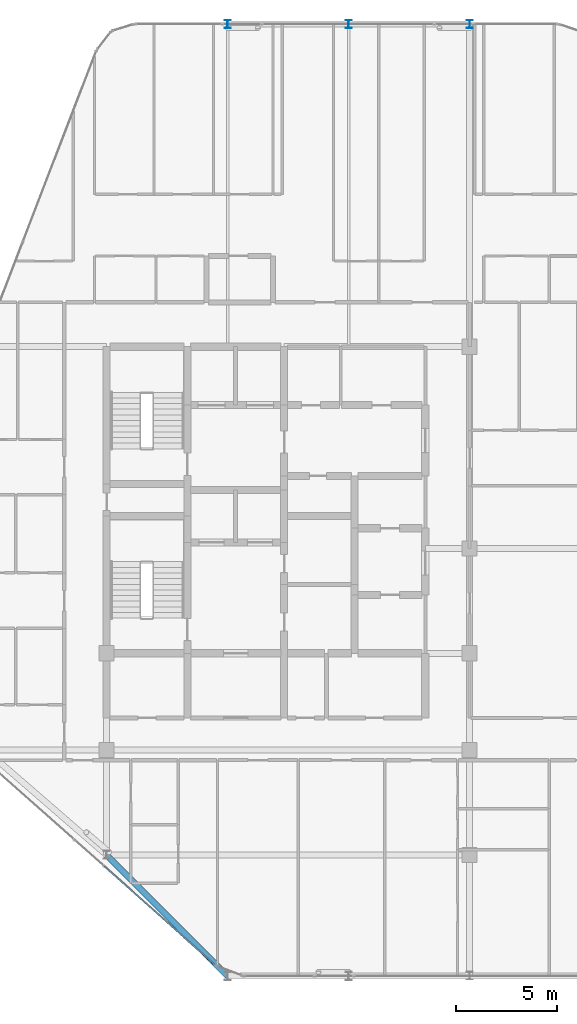
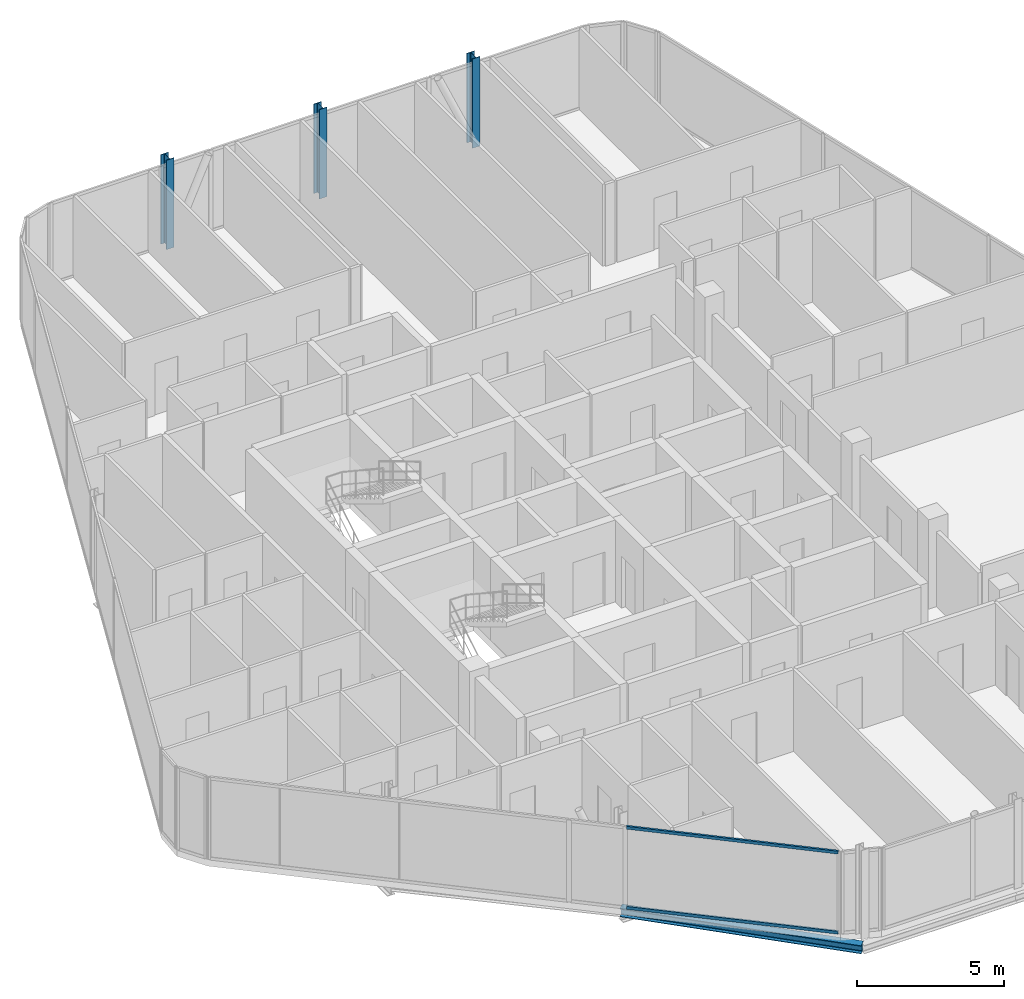
# One storey, part 2 of 27: 3 columns, 2 members, 1 beam, 1 element without a shape of its own.
"""IFC4 building model written with IfcOpenShell, lengths in metres."""

from ifc_helpers import new_model, si_unit, direction, frame, origin, origin_2d, place, context, subcontext, project, spatial, hollow_rectangle, i_section, extrude, material, layer, layer_set, material_profile, profile_set, type_object, element, aggregate, save


model = new_model("IFC4")

# Units and contexts
model_context = context("Model", 3, precision=1e-05, world=origin(), true_north=direction((0.0, 1.0)))
body_context = subcontext(model_context, "Body", "Model", "MODEL_VIEW")
ifc_project = project(units=[si_unit("LENGTHUNIT", "METRE"), si_unit("AREAUNIT", "SQUARE_METRE"), si_unit("VOLUMEUNIT", "CUBIC_METRE"), si_unit("PLANEANGLEUNIT", "RADIAN"), si_unit("MASSUNIT", "GRAM", prefix="KILO")], contexts=[model_context])

# Site, building, storey
site_placement = place(None, origin())
site = spatial("IfcSite", under=ifc_project, at=site_placement, CompositionType="ELEMENT")
building_placement = place(site_placement, origin())
building = spatial("IfcBuilding", under=site, at=building_placement, Name="Keshet Zoharim Tower", CompositionType="ELEMENT")
storey_placement = place(building_placement, frame((0.0, 0.0, 269.5)))
storey = spatial("IfcBuildingStorey", under=building, at=storey_placement, Name="L67", CompositionType="ELEMENT", Elevation=269.5)

# Columns
ifc_material_1 = material(Name="Steel S355", Category="steel")
ifc_material_profile_1 = material_profile(ifc_material_1, i_section(OverallWidth=0.300048828125, OverallDepth=0.39990234375, WebThickness=0.013427734375, FlangeThickness=0.02392578125, FilletRadius=0.027099609375, at=origin_2d()), Name="HEB400")
ifc_profile_set_1 = profile_set([ifc_material_profile_1], Name="Steel S355")
column_type = type_object("IfcColumnType", Name="COL-HEB400", PredefinedType="COLUMN", material=ifc_profile_set_1)
for number, where, z_axis, x_axis, name in (
    (1, (21.0, 53.89990234375, 0.0), (0.0, 0.0, 1.0), (1.0, 0.0, 0.0), "L67 Column 4L"),
    (2, (27.0, 53.89990234375, 0.0), (0.0, 0.0, 1.0), (1.0, 0.0, 0.0), "L67 Column 5L"),
    (3, (33.0, 53.89990234375, 0.0), (0.0, 0.0, 1.0), (1.0, 0.0, 0.0), "L67 Column 6L"),
):
    element("IfcColumn", number, at=place(storey_placement, frame(where, z_axis=z_axis, x_axis=x_axis)), inside=storey, type_object=column_type, Name=name, PredefinedType="COLUMN", context=body_context, shape_type="SweptSolid", body=[
        extrude(i_section(OverallWidth=0.300048828125, OverallDepth=0.39990234375, WebThickness=0.013427734375, FlangeThickness=0.02392578125, FilletRadius=0.027099609375, at=origin_2d()), origin(), (0.0, 0.0, 1.0), 3.699951171875),
    ])

# Beam
ifc_material_profile_2 = material_profile(ifc_material_1, i_section(OverallWidth=0.300048828125, OverallDepth=0.340087890625, WebThickness=0.011962890625, FlangeThickness=0.021484375, FilletRadius=0.027099609375, at=origin_2d()), Name="HEB340")
ifc_profile_set_2 = profile_set([ifc_material_profile_2], Name="Steel S355")
beam_type = type_object("IfcBeamType", Name="BM-SPN-HB340", PredefinedType="SPANDREL", material=ifc_profile_set_2)
beam_placement = place(storey_placement, frame((21.0, 6.699951171875, -0.47998046875), z_axis=(-0.707106781187, 0.707106781187, 0.0), x_axis=(-0.707106781187, -0.707106781187, 0.0)))
element("IfcBeam", 4, at=beam_placement, inside=storey, type_object=beam_type, Name="L67 Perimeter Spandrel Beam 01", PredefinedType="SPANDREL", context=body_context, shape_type="SweptSolid", body=[
    extrude(i_section(OverallWidth=0.300048828125, OverallDepth=0.340087890625, WebThickness=0.011962890625, FlangeThickness=0.021484375, FilletRadius=0.027099609375, at=origin_2d()), origin(), (0.0, 0.0, 1.0), 8.4853515625),
])

# Curtain wall, members
ifc_material_2 = material(Name="Aluminium 6063-T6", Category="aluminium")
ifc_layer = layer(ifc_material_2, 0.260009765625)
ifc_layer_set = layer_set([ifc_layer], Name="Aluminium 6063-T6")
curtain_wall_type = type_object("IfcCurtainWallType", Name="CW-SYS-06", PredefinedType="NOTDEFINED", material=ifc_layer_set)
curtain_wall_placement = place(storey_placement, origin())
curtain_wall = element("IfcCurtainWall", 5, at=curtain_wall_placement, inside=storey, type_object=curtain_wall_type, Name="L67 Unitised Curtain Wall 16", PredefinedType="NOTDEFINED")
ifc_material_profile_3 = material_profile(ifc_material_2, hollow_rectangle(XDim=0.074951171875, YDim=0.1201171875, WallThickness=0.00390625, at=origin_2d()), Name="TRN-75x120")
ifc_profile_set_3 = profile_set([ifc_material_profile_3], Name="Aluminium 6063-T6")
member_type = type_object("IfcMemberType", Name="CWT-T12", PredefinedType="USERDEFINED", material=ifc_profile_set_3)
member_1_placement = place(storey_placement, frame((20.379638671875, 7.25146484375, 0.034912109375), z_axis=(-0.747412985939, 0.664359713145, 0.0), x_axis=(-0.664359713145, -0.747412985939, 0.0)))
member_1 = element("IfcMember", 6, at=member_1_placement, type_object=member_type, Name="CW-06 transom 1.1", ObjectType="TRANSOM", PredefinedType="USERDEFINED", context=body_context, shape_type="SweptSolid", body=[
    extrude(hollow_rectangle(XDim=0.074951171875, YDim=0.1201171875, WallThickness=0.00390625, at=origin_2d()), origin(), (0.0, 0.0, 1.0), 7.345947265625),
])
member_2_placement = place(storey_placement, frame((20.379638671875, 7.25146484375, 3.35498046875), z_axis=(-0.747412985939, 0.664359713145, 0.0), x_axis=(-0.664359713145, -0.747412985939, 0.0)))
member_2 = element("IfcMember", 7, at=member_2_placement, type_object=member_type, Name="CW-06 transom 1.2", ObjectType="TRANSOM", PredefinedType="USERDEFINED", context=body_context, shape_type="SweptSolid", body=[
    extrude(hollow_rectangle(XDim=0.074951171875, YDim=0.1201171875, WallThickness=0.00390625, at=origin_2d()), origin(), (0.0, 0.0, 1.0), 7.345947265625),
])
aggregate(curtain_wall, [member_1, member_2])

save(model, "model.ifc")
